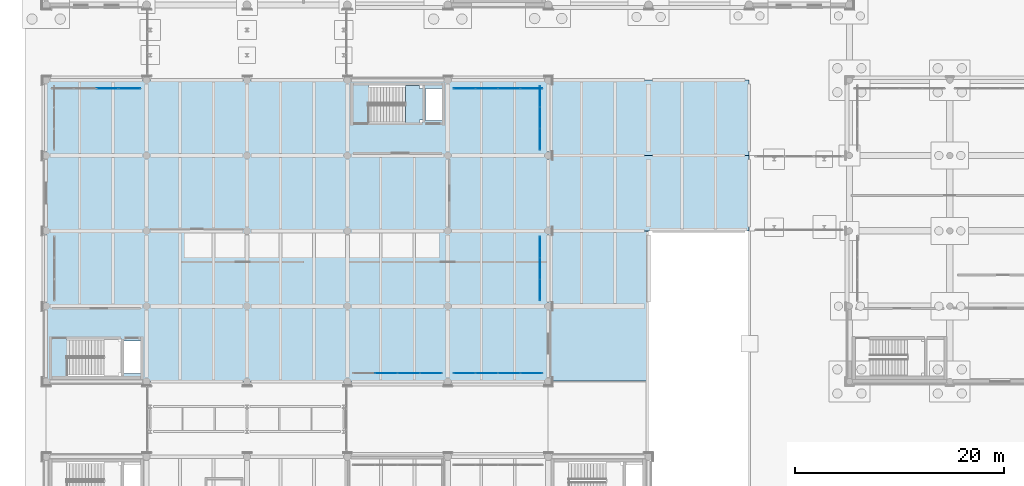
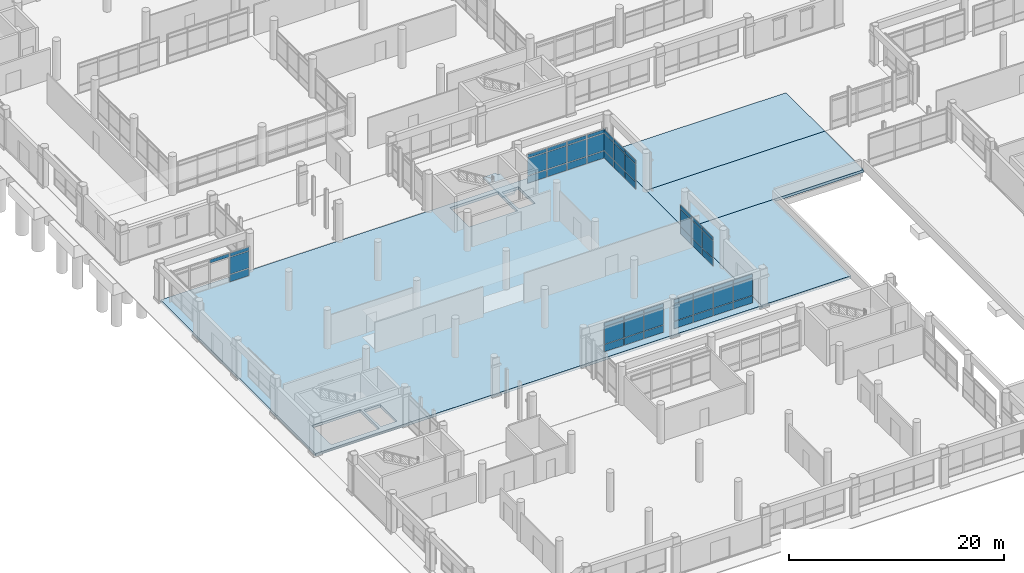
# One storey, part 144 of 196: 55 plates, 5 slabs, 7 elements without a shape of their own.
"""IFC4 building model written with IfcOpenShell, lengths in metres."""

from ifc_helpers import new_model, si_unit, direction, frame, origin, origin_2d, place, context, subcontext, project, spatial, polyline, rectangle, outline, extrude, material, layer, layer_set, type_object, element, aggregate, save


model = new_model("IFC4")

# Units and contexts
model_context = context("Model", 3, precision=1e-05, world=origin(), true_north=direction((0.0, 1.0)))
body_context = subcontext(model_context, "Body", "Model", "MODEL_VIEW")
ifc_project = project(units=[si_unit("LENGTHUNIT", "METRE"), si_unit("AREAUNIT", "SQUARE_METRE"), si_unit("VOLUMEUNIT", "CUBIC_METRE"), si_unit("PLANEANGLEUNIT", "RADIAN"), si_unit("MASSUNIT", "GRAM", prefix="KILO")], contexts=[model_context])

# Site, building, storey
site_placement = place(None, origin())
site = spatial("IfcSite", under=ifc_project, at=site_placement, CompositionType="ELEMENT")
building_placement = place(site_placement, origin())
building = spatial("IfcBuilding", under=site, at=building_placement, Name="Asteropetra Specialist Clinic", CompositionType="ELEMENT")
storey_placement = place(building_placement, origin())
storey = spatial("IfcBuildingStorey", under=building, at=storey_placement, Name="L00", CompositionType="ELEMENT", Elevation=0.0)

# Curtain wall, plates
ifc_material_1 = material(Name="Aluminium and low-E glass", Category="aluminium")
ifc_layer_1 = layer(ifc_material_1, 0.135009765625)
ifc_layer_set_1 = layer_set([ifc_layer_1], Name="Aluminium and low-E glass")
curtain_wall_type_1 = type_object("IfcCurtainWallType", Name="CW-SYS-09", PredefinedType="USERDEFINED", material=ifc_layer_set_1)
curtain_wall_1_placement = place(storey_placement, origin())
curtain_wall_1 = element("IfcCurtainWall", 1, at=curtain_wall_1_placement, inside=storey, type_object=curtain_wall_type_1, Name="Curtain Wall CW-148", ObjectType="STICK GLAZED COLONNADE", PredefinedType="USERDEFINED")
ifc_material_2 = material(Name="Low-E double glazing", Category="glass")
ifc_layer_2 = layer(ifc_material_2, 0.028076171875)
ifc_layer_set_2 = layer_set([ifc_layer_2], Name="Low-E double glazing")
plate_type_1 = type_object("IfcPlateType", Name="CWP-GLZ-28", PredefinedType="CURTAIN_PANEL", material=ifc_layer_set_2)
plate_1_placement = place(storey_placement, frame((32.527587890625, 34.3798828125, 0.06494140625), z_axis=(0.0, 0.0, 1.0), x_axis=(1.0, 0.0, 0.0)))
plate_1 = element("IfcPlate", 2, at=plate_1_placement, type_object=plate_type_1, Name="CW-148 panel 2.1", PredefinedType="CURTAIN_PANEL", context=body_context, shape_type="SweptSolid", body=[
    extrude(rectangle(XDim=2.080078125, YDim=0.028076171875, at=origin_2d()), origin(), (0.0, 0.0, 1.0), 0.802490234375),
])
plate_2_placement = place(storey_placement, frame((32.527587890625, 34.3798828125, 0.932373046875), z_axis=(0.0, 0.0, 1.0), x_axis=(1.0, 0.0, 0.0)))
plate_2 = element("IfcPlate", 3, at=plate_2_placement, type_object=plate_type_1, Name="CW-148 panel 2.2", PredefinedType="CURTAIN_PANEL", context=body_context, shape_type="SweptSolid", body=[
    extrude(rectangle(XDim=2.080078125, YDim=0.028076171875, at=origin_2d()), origin(), (0.0, 0.0, 1.0), 1.93505859375),
])
plate_3_placement = place(storey_placement, frame((32.527587890625, 34.3798828125, 2.9326171875), z_axis=(0.0, 0.0, 1.0), x_axis=(1.0, 0.0, 0.0)))
plate_3 = element("IfcPlate", 4, at=plate_3_placement, type_object=plate_type_1, Name="CW-148 panel 2.3", PredefinedType="CURTAIN_PANEL", context=body_context, shape_type="SweptSolid", body=[
    extrude(rectangle(XDim=2.080078125, YDim=0.028076171875, at=origin_2d()), origin(), (0.0, 0.0, 1.0), 0.402587890625),
])
plate_4_placement = place(storey_placement, frame((34.672607421875, 34.3798828125, 0.06494140625), z_axis=(0.0, 0.0, 1.0), x_axis=(1.0, 0.0, 0.0)))
plate_4 = element("IfcPlate", 5, at=plate_4_placement, type_object=plate_type_1, Name="CW-148 panel 3.1", PredefinedType="CURTAIN_PANEL", context=body_context, shape_type="SweptSolid", body=[
    extrude(rectangle(XDim=2.080078125, YDim=0.028076171875, at=origin_2d()), origin(), (0.0, 0.0, 1.0), 0.802490234375),
])
plate_5_placement = place(storey_placement, frame((34.672607421875, 34.3798828125, 0.932373046875), z_axis=(0.0, 0.0, 1.0), x_axis=(1.0, 0.0, 0.0)))
plate_5 = element("IfcPlate", 6, at=plate_5_placement, type_object=plate_type_1, Name="CW-148 panel 3.2", PredefinedType="CURTAIN_PANEL", context=body_context, shape_type="SweptSolid", body=[
    extrude(rectangle(XDim=2.080078125, YDim=0.028076171875, at=origin_2d()), origin(), (0.0, 0.0, 1.0), 1.93505859375),
])
plate_6_placement = place(storey_placement, frame((34.672607421875, 34.3798828125, 2.9326171875), z_axis=(0.0, 0.0, 1.0), x_axis=(1.0, 0.0, 0.0)))
plate_6 = element("IfcPlate", 7, at=plate_6_placement, type_object=plate_type_1, Name="CW-148 panel 3.3", PredefinedType="CURTAIN_PANEL", context=body_context, shape_type="SweptSolid", body=[
    extrude(rectangle(XDim=2.080078125, YDim=0.028076171875, at=origin_2d()), origin(), (0.0, 0.0, 1.0), 0.402587890625),
])
plate_7_placement = place(storey_placement, frame((36.80126953125, 34.3798828125, 0.06494140625), z_axis=(0.0, 0.0, 1.0), x_axis=(1.0, 0.0, 0.0)))
plate_7 = element("IfcPlate", 8, at=plate_7_placement, type_object=plate_type_1, Name="CW-148 panel 4.1", PredefinedType="CURTAIN_PANEL", context=body_context, shape_type="SweptSolid", body=[
    extrude(rectangle(XDim=2.047607421875, YDim=0.028076171875, at=origin_2d()), origin(), (0.0, 0.0, 1.0), 0.802490234375),
])
plate_8_placement = place(storey_placement, frame((36.80126953125, 34.3798828125, 0.932373046875), z_axis=(0.0, 0.0, 1.0), x_axis=(1.0, 0.0, 0.0)))
plate_8 = element("IfcPlate", 9, at=plate_8_placement, type_object=plate_type_1, Name="CW-148 panel 4.2", PredefinedType="CURTAIN_PANEL", context=body_context, shape_type="SweptSolid", body=[
    extrude(rectangle(XDim=2.047607421875, YDim=0.028076171875, at=origin_2d()), origin(), (0.0, 0.0, 1.0), 1.93505859375),
])
plate_9_placement = place(storey_placement, frame((36.80126953125, 34.3798828125, 2.9326171875), z_axis=(0.0, 0.0, 1.0), x_axis=(1.0, 0.0, 0.0)))
plate_9 = element("IfcPlate", 10, at=plate_9_placement, type_object=plate_type_1, Name="CW-148 panel 4.3", PredefinedType="CURTAIN_PANEL", context=body_context, shape_type="SweptSolid", body=[
    extrude(rectangle(XDim=2.047607421875, YDim=0.028076171875, at=origin_2d()), origin(), (0.0, 0.0, 1.0), 0.402587890625),
])
aggregate(curtain_wall_1, [plate_1, plate_2, plate_3, plate_4, plate_5, plate_6, plate_7, plate_8, plate_9])

ifc_material_3 = material(Name="Aluminium and low-E glass", Category="aluminium")
ifc_layer_3 = layer(ifc_material_3, 0.179931640625)
ifc_layer_set_3 = layer_set([ifc_layer_3], Name="Aluminium and low-E glass")
curtain_wall_type_2 = type_object("IfcCurtainWallType", Name="CW-SYS-10", PredefinedType="USERDEFINED", material=ifc_layer_set_3)
curtain_wall_2_placement = place(storey_placement, origin())
curtain_wall_2 = element("IfcCurtainWall", 11, at=curtain_wall_2_placement, inside=storey, type_object=curtain_wall_type_2, Name="Curtain Wall CW-152", ObjectType="STICK GLAZED COLONNADE", PredefinedType="USERDEFINED")
plate_10_placement = place(storey_placement, frame((47.219970703125, 42.35498046875, 0.06005859375), z_axis=(0.0, 0.0, 1.0), x_axis=(0.0, 1.0, 0.0)))
plate_10 = element("IfcPlate", 12, at=plate_10_placement, type_object=plate_type_1, Name="CW-152 panel 1.1", PredefinedType="CURTAIN_PANEL", context=body_context, shape_type="SweptSolid", body=[
    extrude(rectangle(XDim=1.969970703125, YDim=0.028076171875, at=origin_2d()), origin(), (0.0, 0.0, 1.0), 0.81005859375),
])
plate_11_placement = place(storey_placement, frame((47.219970703125, 42.35498046875, 0.929931640625), z_axis=(0.0, 0.0, 1.0), x_axis=(0.0, 1.0, 0.0)))
plate_11 = element("IfcPlate", 13, at=plate_11_placement, type_object=plate_type_1, Name="CW-152 panel 1.2", PredefinedType="CURTAIN_PANEL", context=body_context, shape_type="SweptSolid", body=[
    extrude(rectangle(XDim=1.969970703125, YDim=0.028076171875, at=origin_2d()), origin(), (0.0, 0.0, 1.0), 1.93994140625),
])
plate_12_placement = place(storey_placement, frame((47.219970703125, 42.35498046875, 2.93017578125), z_axis=(0.0, 0.0, 1.0), x_axis=(0.0, 1.0, 0.0)))
plate_12 = element("IfcPlate", 14, at=plate_12_placement, type_object=plate_type_1, Name="CW-152 panel 1.3", PredefinedType="CURTAIN_PANEL", context=body_context, shape_type="SweptSolid", body=[
    extrude(rectangle(XDim=1.969970703125, YDim=0.028076171875, at=origin_2d()), origin(), (0.0, 0.0, 1.0), 0.409912109375),
])
plate_13_placement = place(storey_placement, frame((47.219970703125, 44.39990234375, 0.06005859375), z_axis=(0.0, 0.0, 1.0), x_axis=(0.0, 1.0, 0.0)))
plate_13 = element("IfcPlate", 15, at=plate_13_placement, type_object=plate_type_1, Name="CW-152 panel 2.1", PredefinedType="CURTAIN_PANEL", context=body_context, shape_type="SweptSolid", body=[
    extrude(rectangle(XDim=2.0, YDim=0.028076171875, at=origin_2d()), origin(), (0.0, 0.0, 1.0), 0.81005859375),
])
plate_14_placement = place(storey_placement, frame((47.219970703125, 44.39990234375, 0.929931640625), z_axis=(0.0, 0.0, 1.0), x_axis=(0.0, 1.0, 0.0)))
plate_14 = element("IfcPlate", 16, at=plate_14_placement, type_object=plate_type_1, Name="CW-152 panel 2.2", PredefinedType="CURTAIN_PANEL", context=body_context, shape_type="SweptSolid", body=[
    extrude(rectangle(XDim=2.0, YDim=0.028076171875, at=origin_2d()), origin(), (0.0, 0.0, 1.0), 1.93994140625),
])
plate_15_placement = place(storey_placement, frame((47.219970703125, 44.39990234375, 2.93017578125), z_axis=(0.0, 0.0, 1.0), x_axis=(0.0, 1.0, 0.0)))
plate_15 = element("IfcPlate", 17, at=plate_15_placement, type_object=plate_type_1, Name="CW-152 panel 2.3", PredefinedType="CURTAIN_PANEL", context=body_context, shape_type="SweptSolid", body=[
    extrude(rectangle(XDim=2.0, YDim=0.028076171875, at=origin_2d()), origin(), (0.0, 0.0, 1.0), 0.409912109375),
])
plate_16_placement = place(storey_placement, frame((47.219970703125, 46.445068359375, 0.06005859375), z_axis=(0.0, 0.0, 1.0), x_axis=(0.0, 1.0, 0.0)))
plate_16 = element("IfcPlate", 18, at=plate_16_placement, type_object=plate_type_1, Name="CW-152 panel 3.1", PredefinedType="CURTAIN_PANEL", context=body_context, shape_type="SweptSolid", body=[
    extrude(rectangle(XDim=1.969970703125, YDim=0.028076171875, at=origin_2d()), origin(), (0.0, 0.0, 1.0), 0.81005859375),
])
plate_17_placement = place(storey_placement, frame((47.219970703125, 46.445068359375, 0.929931640625), z_axis=(0.0, 0.0, 1.0), x_axis=(0.0, 1.0, 0.0)))
plate_17 = element("IfcPlate", 19, at=plate_17_placement, type_object=plate_type_1, Name="CW-152 panel 3.2", PredefinedType="CURTAIN_PANEL", context=body_context, shape_type="SweptSolid", body=[
    extrude(rectangle(XDim=1.969970703125, YDim=0.028076171875, at=origin_2d()), origin(), (0.0, 0.0, 1.0), 1.93994140625),
])
plate_18_placement = place(storey_placement, frame((47.219970703125, 46.445068359375, 2.93017578125), z_axis=(0.0, 0.0, 1.0), x_axis=(0.0, 1.0, 0.0)))
plate_18 = element("IfcPlate", 20, at=plate_18_placement, type_object=plate_type_1, Name="CW-152 panel 3.3", PredefinedType="CURTAIN_PANEL", context=body_context, shape_type="SweptSolid", body=[
    extrude(rectangle(XDim=1.969970703125, YDim=0.028076171875, at=origin_2d()), origin(), (0.0, 0.0, 1.0), 0.409912109375),
])
aggregate(curtain_wall_2, [plate_10, plate_11, plate_12, plate_13, plate_14, plate_15, plate_16, plate_17, plate_18])

ifc_material_4 = material(Name="Aluminium and low-E glass", Category="aluminium")
ifc_layer_4 = layer(ifc_material_4, 0.14990234375)
ifc_layer_set_4 = layer_set([ifc_layer_4], Name="Aluminium and low-E glass")
curtain_wall_type_3 = type_object("IfcCurtainWallType", Name="CW-SYS-11", PredefinedType="USERDEFINED", material=ifc_layer_set_4)
curtain_wall_3_placement = place(storey_placement, origin())
curtain_wall_3 = element("IfcCurtainWall", 21, at=curtain_wall_3_placement, inside=storey, type_object=curtain_wall_type_3, Name="Curtain Wall CW-149", ObjectType="STICK GLAZED COLONNADE", PredefinedType="USERDEFINED")
ifc_material_5 = material(Name="Low-E acoustic double glazing", Category="glass")
ifc_layer_5 = layer(ifc_material_5, 0.031982421875)
ifc_layer_set_5 = layer_set([ifc_layer_5], Name="Low-E acoustic double glazing")
plate_type_2 = type_object("IfcPlateType", Name="CWP-GLZ-32", PredefinedType="CURTAIN_PANEL", material=ifc_layer_set_5)
plate_19_placement = place(storey_placement, frame((39.99755859375, 34.3798828125, 0.06005859375), z_axis=(0.0, 0.0, 1.0), x_axis=(1.0, 0.0, 0.0)))
plate_19 = element("IfcPlate", 22, at=plate_19_placement, type_object=plate_type_2, Name="CW-149 panel 1.1", PredefinedType="CURTAIN_PANEL", context=body_context, shape_type="SweptSolid", body=[
    extrude(rectangle(XDim=2.054931640625, YDim=0.031982421875, at=origin_2d()), origin(), (0.0, 0.0, 1.0), 0.81005859375),
])
plate_20_placement = place(storey_placement, frame((39.99755859375, 34.3798828125, 0.929931640625), z_axis=(0.0, 0.0, 1.0), x_axis=(1.0, 0.0, 0.0)))
plate_20 = element("IfcPlate", 23, at=plate_20_placement, type_object=plate_type_2, Name="CW-149 panel 1.2", PredefinedType="CURTAIN_PANEL", context=body_context, shape_type="SweptSolid", body=[
    extrude(rectangle(XDim=2.054931640625, YDim=0.031982421875, at=origin_2d()), origin(), (0.0, 0.0, 1.0), 1.93994140625),
])
plate_21_placement = place(storey_placement, frame((39.99755859375, 34.3798828125, 2.93017578125), z_axis=(0.0, 0.0, 1.0), x_axis=(1.0, 0.0, 0.0)))
plate_21 = element("IfcPlate", 24, at=plate_21_placement, type_object=plate_type_2, Name="CW-149 panel 1.3", PredefinedType="CURTAIN_PANEL", context=body_context, shape_type="SweptSolid", body=[
    extrude(rectangle(XDim=2.054931640625, YDim=0.031982421875, at=origin_2d()), origin(), (0.0, 0.0, 1.0), 0.409912109375),
])
plate_22_placement = place(storey_placement, frame((42.12744140625, 34.3798828125, 0.06005859375), z_axis=(0.0, 0.0, 1.0), x_axis=(1.0, 0.0, 0.0)))
plate_22 = element("IfcPlate", 25, at=plate_22_placement, type_object=plate_type_2, Name="CW-149 panel 2.1", PredefinedType="CURTAIN_PANEL", context=body_context, shape_type="SweptSolid", body=[
    extrude(rectangle(XDim=2.0849609375, YDim=0.031982421875, at=origin_2d()), origin(), (0.0, 0.0, 1.0), 0.81005859375),
])
plate_23_placement = place(storey_placement, frame((42.12744140625, 34.3798828125, 0.929931640625), z_axis=(0.0, 0.0, 1.0), x_axis=(1.0, 0.0, 0.0)))
plate_23 = element("IfcPlate", 26, at=plate_23_placement, type_object=plate_type_2, Name="CW-149 panel 2.2", PredefinedType="CURTAIN_PANEL", context=body_context, shape_type="SweptSolid", body=[
    extrude(rectangle(XDim=2.0849609375, YDim=0.031982421875, at=origin_2d()), origin(), (0.0, 0.0, 1.0), 1.93994140625),
])
plate_24_placement = place(storey_placement, frame((42.12744140625, 34.3798828125, 2.93017578125), z_axis=(0.0, 0.0, 1.0), x_axis=(1.0, 0.0, 0.0)))
plate_24 = element("IfcPlate", 27, at=plate_24_placement, type_object=plate_type_2, Name="CW-149 panel 2.3", PredefinedType="CURTAIN_PANEL", context=body_context, shape_type="SweptSolid", body=[
    extrude(rectangle(XDim=2.0849609375, YDim=0.031982421875, at=origin_2d()), origin(), (0.0, 0.0, 1.0), 0.409912109375),
])
plate_25_placement = place(storey_placement, frame((44.2724609375, 34.3798828125, 0.06005859375), z_axis=(0.0, 0.0, 1.0), x_axis=(1.0, 0.0, 0.0)))
plate_25 = element("IfcPlate", 28, at=plate_25_placement, type_object=plate_type_2, Name="CW-149 panel 3.1", PredefinedType="CURTAIN_PANEL", context=body_context, shape_type="SweptSolid", body=[
    extrude(rectangle(XDim=2.0849609375, YDim=0.031982421875, at=origin_2d()), origin(), (0.0, 0.0, 1.0), 0.81005859375),
])
plate_26_placement = place(storey_placement, frame((44.2724609375, 34.3798828125, 0.929931640625), z_axis=(0.0, 0.0, 1.0), x_axis=(1.0, 0.0, 0.0)))
plate_26 = element("IfcPlate", 29, at=plate_26_placement, type_object=plate_type_2, Name="CW-149 panel 3.2", PredefinedType="CURTAIN_PANEL", context=body_context, shape_type="SweptSolid", body=[
    extrude(rectangle(XDim=2.0849609375, YDim=0.031982421875, at=origin_2d()), origin(), (0.0, 0.0, 1.0), 1.93994140625),
])
plate_27_placement = place(storey_placement, frame((44.2724609375, 34.3798828125, 2.93017578125), z_axis=(0.0, 0.0, 1.0), x_axis=(1.0, 0.0, 0.0)))
plate_27 = element("IfcPlate", 30, at=plate_27_placement, type_object=plate_type_2, Name="CW-149 panel 3.3", PredefinedType="CURTAIN_PANEL", context=body_context, shape_type="SweptSolid", body=[
    extrude(rectangle(XDim=2.0849609375, YDim=0.031982421875, at=origin_2d()), origin(), (0.0, 0.0, 1.0), 0.409912109375),
])
plate_28_placement = place(storey_placement, frame((46.402587890625, 34.3798828125, 0.06005859375), z_axis=(0.0, 0.0, 1.0), x_axis=(1.0, 0.0, 0.0)))
plate_28 = element("IfcPlate", 31, at=plate_28_placement, type_object=plate_type_2, Name="CW-149 panel 4.1", PredefinedType="CURTAIN_PANEL", context=body_context, shape_type="SweptSolid", body=[
    extrude(rectangle(XDim=2.054931640625, YDim=0.031982421875, at=origin_2d()), origin(), (0.0, 0.0, 1.0), 0.81005859375),
])
plate_29_placement = place(storey_placement, frame((46.402587890625, 34.3798828125, 0.929931640625), z_axis=(0.0, 0.0, 1.0), x_axis=(1.0, 0.0, 0.0)))
plate_29 = element("IfcPlate", 32, at=plate_29_placement, type_object=plate_type_2, Name="CW-149 panel 4.2", PredefinedType="CURTAIN_PANEL", context=body_context, shape_type="SweptSolid", body=[
    extrude(rectangle(XDim=2.054931640625, YDim=0.031982421875, at=origin_2d()), origin(), (0.0, 0.0, 1.0), 1.93994140625),
])
plate_30_placement = place(storey_placement, frame((46.402587890625, 34.3798828125, 2.93017578125), z_axis=(0.0, 0.0, 1.0), x_axis=(1.0, 0.0, 0.0)))
plate_30 = element("IfcPlate", 33, at=plate_30_placement, type_object=plate_type_2, Name="CW-149 panel 4.3", PredefinedType="CURTAIN_PANEL", context=body_context, shape_type="SweptSolid", body=[
    extrude(rectangle(XDim=2.054931640625, YDim=0.031982421875, at=origin_2d()), origin(), (0.0, 0.0, 1.0), 0.409912109375),
])
aggregate(curtain_wall_3, [plate_19, plate_20, plate_21, plate_22, plate_23, plate_24, plate_25, plate_26, plate_27, plate_28, plate_29, plate_30])

curtain_wall_4_placement = place(storey_placement, origin())
curtain_wall_4 = element("IfcCurtainWall", 34, at=curtain_wall_4_placement, inside=storey, type_object=curtain_wall_type_3, Name="Curtain Wall CW-150", ObjectType="STICK GLAZED COLONNADE", PredefinedType="USERDEFINED")
ifc_material_6 = material(Name="Solar-control triple glazing", Category="glass")
ifc_layer_6 = layer(ifc_material_6, 0.035888671875)
ifc_layer_set_6 = layer_set([ifc_layer_6], Name="Solar-control triple glazing")
plate_type_3 = type_object("IfcPlateType", Name="CWP-GLZ-36", PredefinedType="CURTAIN_PANEL", material=ifc_layer_set_6)
plate_31_placement = place(storey_placement, frame((46.398681640625, 61.6201171875, 0.074951171875), z_axis=(0.0, 0.0, 1.0), x_axis=(-1.0, 0.0, 0.0)))
plate_31 = element("IfcPlate", 35, at=plate_31_placement, type_object=plate_type_3, Name="CW-150 panel 1.1", PredefinedType="CURTAIN_PANEL", context=body_context, shape_type="SweptSolid", body=[
    extrude(rectangle(XDim=2.032470703125, YDim=0.035888671875, at=origin_2d()), origin(), (0.0, 0.0, 1.0), 0.78759765625),
])
plate_32_placement = place(storey_placement, frame((46.398681640625, 61.6201171875, 0.9375), z_axis=(0.0, 0.0, 1.0), x_axis=(-1.0, 0.0, 0.0)))
plate_32 = element("IfcPlate", 36, at=plate_32_placement, type_object=plate_type_3, Name="CW-150 panel 1.2", PredefinedType="CURTAIN_PANEL", context=body_context, shape_type="SweptSolid", body=[
    extrude(rectangle(XDim=2.032470703125, YDim=0.035888671875, at=origin_2d()), origin(), (0.0, 0.0, 1.0), 1.925048828125),
])
plate_33_placement = place(storey_placement, frame((46.398681640625, 61.6201171875, 2.9375), z_axis=(0.0, 0.0, 1.0), x_axis=(-1.0, 0.0, 0.0)))
plate_33 = element("IfcPlate", 37, at=plate_33_placement, type_object=plate_type_3, Name="CW-150 panel 1.3", PredefinedType="CURTAIN_PANEL", context=body_context, shape_type="SweptSolid", body=[
    extrude(rectangle(XDim=2.032470703125, YDim=0.035888671875, at=origin_2d()), origin(), (0.0, 0.0, 1.0), 0.387451171875),
])
plate_34_placement = place(storey_placement, frame((44.2724609375, 61.6201171875, 0.074951171875), z_axis=(0.0, 0.0, 1.0), x_axis=(-1.0, 0.0, 0.0)))
plate_34 = element("IfcPlate", 38, at=plate_34_placement, type_object=plate_type_3, Name="CW-150 panel 2.1", PredefinedType="CURTAIN_PANEL", context=body_context, shape_type="SweptSolid", body=[
    extrude(rectangle(XDim=2.070068359375, YDim=0.035888671875, at=origin_2d()), origin(), (0.0, 0.0, 1.0), 0.78759765625),
])
plate_35_placement = place(storey_placement, frame((44.2724609375, 61.6201171875, 0.9375), z_axis=(0.0, 0.0, 1.0), x_axis=(-1.0, 0.0, 0.0)))
plate_35 = element("IfcPlate", 39, at=plate_35_placement, type_object=plate_type_3, Name="CW-150 panel 2.2", PredefinedType="CURTAIN_PANEL", context=body_context, shape_type="SweptSolid", body=[
    extrude(rectangle(XDim=2.070068359375, YDim=0.035888671875, at=origin_2d()), origin(), (0.0, 0.0, 1.0), 1.925048828125),
])
plate_36_placement = place(storey_placement, frame((44.2724609375, 61.6201171875, 2.9375), z_axis=(0.0, 0.0, 1.0), x_axis=(-1.0, 0.0, 0.0)))
plate_36 = element("IfcPlate", 40, at=plate_36_placement, type_object=plate_type_3, Name="CW-150 panel 2.3", PredefinedType="CURTAIN_PANEL", context=body_context, shape_type="SweptSolid", body=[
    extrude(rectangle(XDim=2.070068359375, YDim=0.035888671875, at=origin_2d()), origin(), (0.0, 0.0, 1.0), 0.387451171875),
])
plate_37_placement = place(storey_placement, frame((42.12744140625, 61.6201171875, 0.074951171875), z_axis=(0.0, 0.0, 1.0), x_axis=(-1.0, 0.0, 0.0)))
plate_37 = element("IfcPlate", 41, at=plate_37_placement, type_object=plate_type_3, Name="CW-150 panel 3.1", PredefinedType="CURTAIN_PANEL", context=body_context, shape_type="SweptSolid", body=[
    extrude(rectangle(XDim=2.070068359375, YDim=0.035888671875, at=origin_2d()), origin(), (0.0, 0.0, 1.0), 0.78759765625),
])
plate_38_placement = place(storey_placement, frame((42.12744140625, 61.6201171875, 0.9375), z_axis=(0.0, 0.0, 1.0), x_axis=(-1.0, 0.0, 0.0)))
plate_38 = element("IfcPlate", 42, at=plate_38_placement, type_object=plate_type_3, Name="CW-150 panel 3.2", PredefinedType="CURTAIN_PANEL", context=body_context, shape_type="SweptSolid", body=[
    extrude(rectangle(XDim=2.070068359375, YDim=0.035888671875, at=origin_2d()), origin(), (0.0, 0.0, 1.0), 1.925048828125),
])
plate_39_placement = place(storey_placement, frame((42.12744140625, 61.6201171875, 2.9375), z_axis=(0.0, 0.0, 1.0), x_axis=(-1.0, 0.0, 0.0)))
plate_39 = element("IfcPlate", 43, at=plate_39_placement, type_object=plate_type_3, Name="CW-150 panel 3.3", PredefinedType="CURTAIN_PANEL", context=body_context, shape_type="SweptSolid", body=[
    extrude(rectangle(XDim=2.070068359375, YDim=0.035888671875, at=origin_2d()), origin(), (0.0, 0.0, 1.0), 0.387451171875),
])
plate_40_placement = place(storey_placement, frame((40.001220703125, 61.6201171875, 0.074951171875), z_axis=(0.0, 0.0, 1.0), x_axis=(-1.0, 0.0, 0.0)))
plate_40 = element("IfcPlate", 44, at=plate_40_placement, type_object=plate_type_3, Name="CW-150 panel 4.1", PredefinedType="CURTAIN_PANEL", context=body_context, shape_type="SweptSolid", body=[
    extrude(rectangle(XDim=2.032470703125, YDim=0.035888671875, at=origin_2d()), origin(), (0.0, 0.0, 1.0), 0.78759765625),
])
plate_41_placement = place(storey_placement, frame((40.001220703125, 61.6201171875, 0.9375), z_axis=(0.0, 0.0, 1.0), x_axis=(-1.0, 0.0, 0.0)))
plate_41 = element("IfcPlate", 45, at=plate_41_placement, type_object=plate_type_3, Name="CW-150 panel 4.2", PredefinedType="CURTAIN_PANEL", context=body_context, shape_type="SweptSolid", body=[
    extrude(rectangle(XDim=2.032470703125, YDim=0.035888671875, at=origin_2d()), origin(), (0.0, 0.0, 1.0), 1.925048828125),
])
plate_42_placement = place(storey_placement, frame((40.001220703125, 61.6201171875, 2.9375), z_axis=(0.0, 0.0, 1.0), x_axis=(-1.0, 0.0, 0.0)))
plate_42 = element("IfcPlate", 46, at=plate_42_placement, type_object=plate_type_3, Name="CW-150 panel 4.3", PredefinedType="CURTAIN_PANEL", context=body_context, shape_type="SweptSolid", body=[
    extrude(rectangle(XDim=2.032470703125, YDim=0.035888671875, at=origin_2d()), origin(), (0.0, 0.0, 1.0), 0.387451171875),
])
aggregate(curtain_wall_4, [plate_31, plate_32, plate_33, plate_34, plate_35, plate_36, plate_37, plate_38, plate_39, plate_40, plate_41, plate_42])

ifc_material_7 = material(Name="Aluminium and low-E glass", Category="aluminium")
ifc_layer_7 = layer(ifc_material_7, 0.179931640625)
ifc_layer_set_7 = layer_set([ifc_layer_7], Name="Aluminium and low-E glass")
curtain_wall_type_4 = type_object("IfcCurtainWallType", Name="CW-SYS-01", PredefinedType="USERDEFINED", material=ifc_layer_set_7)
curtain_wall_5_placement = place(storey_placement, origin())
curtain_wall_5 = element("IfcCurtainWall", 47, at=curtain_wall_5_placement, inside=storey, type_object=curtain_wall_type_4, Name="Curtain Wall CW-154", ObjectType="UNITISED CURTAIN WALL", PredefinedType="USERDEFINED")
plate_43_placement = place(storey_placement, frame((47.219970703125, 56.75634765625, 0.06494140625), z_axis=(0.0, 0.0, 1.0), x_axis=(0.0, 1.0, 0.0)))
plate_43 = element("IfcPlate", 48, at=plate_43_placement, type_object=plate_type_3, Name="CW-154 panel 1.1", PredefinedType="CURTAIN_PANEL", context=body_context, shape_type="SweptSolid", body=[
    extrude(rectangle(XDim=1.96240234375, YDim=0.035888671875, at=origin_2d()), origin(), (0.0, 0.0, 1.0), 0.802490234375),
])
plate_44_placement = place(storey_placement, frame((47.219970703125, 56.75634765625, 0.932373046875), z_axis=(0.0, 0.0, 1.0), x_axis=(0.0, 1.0, 0.0)))
plate_44 = element("IfcPlate", 49, at=plate_44_placement, type_object=plate_type_3, Name="CW-154 panel 1.2", PredefinedType="CURTAIN_PANEL", context=body_context, shape_type="SweptSolid", body=[
    extrude(rectangle(XDim=1.96240234375, YDim=0.035888671875, at=origin_2d()), origin(), (0.0, 0.0, 1.0), 1.93505859375),
])
plate_45_placement = place(storey_placement, frame((47.219970703125, 56.75634765625, 2.9326171875), z_axis=(0.0, 0.0, 1.0), x_axis=(0.0, 1.0, 0.0)))
plate_45 = element("IfcPlate", 50, at=plate_45_placement, type_object=plate_type_3, Name="CW-154 panel 1.3", PredefinedType="CURTAIN_PANEL", context=body_context, shape_type="SweptSolid", body=[
    extrude(rectangle(XDim=1.96240234375, YDim=0.035888671875, at=origin_2d()), origin(), (0.0, 0.0, 1.0), 0.402587890625),
])
plate_46_placement = place(storey_placement, frame((47.219970703125, 58.800048828125, 0.06494140625), z_axis=(0.0, 0.0, 1.0), x_axis=(0.0, 1.0, 0.0)))
plate_46 = element("IfcPlate", 51, at=plate_46_placement, type_object=plate_type_3, Name="CW-154 panel 2.1", PredefinedType="CURTAIN_PANEL", context=body_context, shape_type="SweptSolid", body=[
    extrude(rectangle(XDim=1.9951171875, YDim=0.035888671875, at=origin_2d()), origin(), (0.0, 0.0, 1.0), 0.802490234375),
])
plate_47_placement = place(storey_placement, frame((47.219970703125, 58.800048828125, 0.932373046875), z_axis=(0.0, 0.0, 1.0), x_axis=(0.0, 1.0, 0.0)))
plate_47 = element("IfcPlate", 52, at=plate_47_placement, type_object=plate_type_3, Name="CW-154 panel 2.2", PredefinedType="CURTAIN_PANEL", context=body_context, shape_type="SweptSolid", body=[
    extrude(rectangle(XDim=1.9951171875, YDim=0.035888671875, at=origin_2d()), origin(), (0.0, 0.0, 1.0), 1.93505859375),
])
plate_48_placement = place(storey_placement, frame((47.219970703125, 58.800048828125, 2.9326171875), z_axis=(0.0, 0.0, 1.0), x_axis=(0.0, 1.0, 0.0)))
plate_48 = element("IfcPlate", 53, at=plate_48_placement, type_object=plate_type_3, Name="CW-154 panel 2.3", PredefinedType="CURTAIN_PANEL", context=body_context, shape_type="SweptSolid", body=[
    extrude(rectangle(XDim=1.9951171875, YDim=0.035888671875, at=origin_2d()), origin(), (0.0, 0.0, 1.0), 0.402587890625),
])
plate_49_placement = place(storey_placement, frame((47.219970703125, 60.84375, 0.06494140625), z_axis=(0.0, 0.0, 1.0), x_axis=(0.0, 1.0, 0.0)))
plate_49 = element("IfcPlate", 54, at=plate_49_placement, type_object=plate_type_3, Name="CW-154 panel 3.1", PredefinedType="CURTAIN_PANEL", context=body_context, shape_type="SweptSolid", body=[
    extrude(rectangle(XDim=1.96240234375, YDim=0.035888671875, at=origin_2d()), origin(), (0.0, 0.0, 1.0), 0.802490234375),
])
plate_50_placement = place(storey_placement, frame((47.219970703125, 60.84375, 0.932373046875), z_axis=(0.0, 0.0, 1.0), x_axis=(0.0, 1.0, 0.0)))
plate_50 = element("IfcPlate", 55, at=plate_50_placement, type_object=plate_type_3, Name="CW-154 panel 3.2", PredefinedType="CURTAIN_PANEL", context=body_context, shape_type="SweptSolid", body=[
    extrude(rectangle(XDim=1.96240234375, YDim=0.035888671875, at=origin_2d()), origin(), (0.0, 0.0, 1.0), 1.93505859375),
])
plate_51_placement = place(storey_placement, frame((47.219970703125, 60.84375, 2.9326171875), z_axis=(0.0, 0.0, 1.0), x_axis=(0.0, 1.0, 0.0)))
plate_51 = element("IfcPlate", 56, at=plate_51_placement, type_object=plate_type_3, Name="CW-154 panel 3.3", PredefinedType="CURTAIN_PANEL", context=body_context, shape_type="SweptSolid", body=[
    extrude(rectangle(XDim=1.96240234375, YDim=0.035888671875, at=origin_2d()), origin(), (0.0, 0.0, 1.0), 0.402587890625),
])
aggregate(curtain_wall_5, [plate_43, plate_44, plate_45, plate_46, plate_47, plate_48, plate_49, plate_50, plate_51])

curtain_wall_6_placement = place(storey_placement, origin())
curtain_wall_6 = element("IfcCurtainWall", 57, at=curtain_wall_6_placement, inside=storey, type_object=curtain_wall_type_1, Name="Curtain Wall CW-147", ObjectType="STICK GLAZED COLONNADE", PredefinedType="USERDEFINED")
ifc_material_8 = material(Name="Laminated skylight glazing", Category="glass")
ifc_layer_8 = layer(ifc_material_8, 0.0400390625)
ifc_layer_set_8 = layer_set([ifc_layer_8], Name="Laminated skylight glazing")
plate_type_4 = type_object("IfcPlateType", Name="CWP-GLZ-40", PredefinedType="CURTAIN_PANEL", material=ifc_layer_set_8)
plate_52_placement = place(storey_placement, frame((7.998779296875, 61.6201171875, 0.074951171875), z_axis=(0.0, 0.0, 1.0), x_axis=(-1.0, 0.0, 0.0)))
plate_52 = element("IfcPlate", 58, at=plate_52_placement, type_object=plate_type_4, Name="CW-147 panel 1.1", PredefinedType="CURTAIN_PANEL", context=body_context, shape_type="SweptSolid", body=[
    extrude(rectangle(XDim=2.032470703125, YDim=0.0400390625, at=origin_2d()), origin(), (0.0, 0.0, 1.0), 0.78759765625),
])
plate_53_placement = place(storey_placement, frame((7.998779296875, 61.6201171875, 0.9375), z_axis=(0.0, 0.0, 1.0), x_axis=(-1.0, 0.0, 0.0)))
plate_53 = element("IfcPlate", 59, at=plate_53_placement, type_object=plate_type_4, Name="CW-147 panel 1.2", PredefinedType="CURTAIN_PANEL", context=body_context, shape_type="SweptSolid", body=[
    extrude(rectangle(XDim=2.032470703125, YDim=0.0400390625, at=origin_2d()), origin(), (0.0, 0.0, 1.0), 1.925048828125),
])
plate_54_placement = place(storey_placement, frame((7.998779296875, 61.6201171875, 2.9375), z_axis=(0.0, 0.0, 1.0), x_axis=(-1.0, 0.0, 0.0)))
plate_54 = element("IfcPlate", 60, at=plate_54_placement, type_object=plate_type_4, Name="CW-147 panel 1.3", PredefinedType="CURTAIN_PANEL", context=body_context, shape_type="SweptSolid", body=[
    extrude(rectangle(XDim=2.032470703125, YDim=0.0400390625, at=origin_2d()), origin(), (0.0, 0.0, 1.0), 0.387451171875),
])
plate_55_placement = place(storey_placement, frame((5.87255859375, 61.6201171875, 2.9375), z_axis=(0.0, 0.0, 1.0), x_axis=(-1.0, 0.0, 0.0)))
plate_55 = element("IfcPlate", 61, at=plate_55_placement, type_object=plate_type_4, Name="CW-147 panel 2.3", PredefinedType="CURTAIN_PANEL", context=body_context, shape_type="SweptSolid", body=[
    extrude(rectangle(XDim=2.070068359375, YDim=0.0400390625, at=origin_2d()), origin(), (0.0, 0.0, 1.0), 0.387451171875),
])
aggregate(curtain_wall_6, [plate_52, plate_53, plate_54, plate_55])

# Slab
ifc_material_9 = material(Name="Concrete C35/45", Category="concrete")
ifc_layer_9 = layer(ifc_material_9, 0.300048828125)
ifc_layer_set_9 = layer_set([ifc_layer_9], Name="Concrete C35/45")
slab_type_1 = type_object("IfcSlabType", Name="SLB-FLR-300", PredefinedType="FLOOR", material=ifc_layer_set_9)
slab_1_placement = place(storey_placement, frame((0.0, 0.0, -0.300048828125)))
element("IfcSlab", 62, at=slab_1_placement, inside=storey, type_object=slab_type_1, Name="Slab V5 L00", PredefinedType="FLOOR", context=body_context, shape_type="SweptSolid", body=[
    extrude(outline(polyline([(0.0, 33.60009765625), (48.0, 33.60009765625), (48.0, 62.39990234375), (0.0, 62.39990234375), (0.0, 33.60009765625)]), holes=[polyline([(2.0, 34.1201171875), (7.179931640625, 34.1201171875), (7.179931640625, 37.699951171875), (2.0, 37.699951171875), (2.0, 34.1201171875)]), polyline([(7.449951171875, 34.3701171875), (9.199951171875, 34.3701171875), (9.199951171875, 37.449951171875), (7.449951171875, 37.449951171875), (7.449951171875, 34.3701171875)]), polyline([(30.800048828125, 58.300048828125), (35.97998046875, 58.300048828125), (35.97998046875, 61.8798828125), (30.800048828125, 61.8798828125), (30.800048828125, 58.300048828125)]), polyline([(36.25, 58.550048828125), (38.0, 58.550048828125), (38.0, 61.6298828125), (36.25, 61.6298828125), (36.25, 58.550048828125)])]), origin(), (0.0, 0.0, 1.0), 0.300048828125),
])

# Stair, slab
ifc_material_10 = material(Name="Concrete C35/45", Category="concrete")
stair_type = type_object("IfcStairType", Name="STR-DOG-160", PredefinedType="TWO_STRAIGHT_RUN_STAIR", material=ifc_material_10)
stair_placement = place(storey_placement, origin())
stair = element("IfcStair", 63, at=stair_placement, inside=storey, type_object=stair_type, Name="Type I Stair ST05-L00", PredefinedType="TWO_STRAIGHT_RUN_STAIR")
ifc_material_11 = material(Name="Concrete C35/45", Category="concrete")
ifc_layer_10 = layer(ifc_material_11, 0.199951171875)
ifc_layer_set_10 = layer_set([ifc_layer_10], Name="Concrete C35/45")
slab_type_2 = type_object("IfcSlabType", Name="SLB-LND-200", PredefinedType="LANDING", material=ifc_layer_set_10)
slab_2_placement = place(storey_placement, frame((0.0, 0.0, 2.010009765625)))
slab_2 = element("IfcSlab", 64, at=slab_2_placement, type_object=slab_type_2, Name="ST05-L00 landing 1", PredefinedType="LANDING", context=body_context, shape_type="SweptSolid", body=[
    extrude(outline(polyline([(34.35009765625, 58.27001953125), (35.699951171875, 58.27001953125), (35.699951171875, 58.590087890625), (36.02001953125, 58.590087890625), (36.02001953125, 61.590087890625), (35.699951171875, 61.590087890625), (35.699951171875, 61.909912109375), (34.35009765625, 61.909912109375), (34.35009765625, 58.27001953125)])), origin(), (0.0, 0.0, 1.0), 0.199951171875),
])
aggregate(stair, [slab_2])

# Slabs
ifc_material_12 = material(Name="Concrete C35/45", Category="concrete")
ifc_layer_11 = layer(ifc_material_12, 0.31005859375)
ifc_layer_set_11 = layer_set([ifc_layer_11], Name="Concrete C35/45")
slab_type_3 = type_object("IfcSlabType", Name="SLB-TER-310", PredefinedType="ROOF", material=ifc_layer_set_11)
slab_3_placement = place(storey_placement, frame((0.0, 0.0, -0.31005859375)))
element("IfcSlab", 65, at=slab_3_placement, inside=storey, type_object=slab_type_3, Name="Slab B1DECK-MID2 L00", PredefinedType="ROOF", context=body_context, shape_type="SweptSolid", body=[
    extrude(outline(polyline([(48.0, 33.64990234375), (57.60009765625, 33.64990234375), (57.60009765625, 48.0), (48.0, 48.0), (48.0, 33.64990234375)])), origin(), (0.0, 0.0, 1.0), 0.31005859375),
])
slab_4_placement = place(storey_placement, frame((0.0, 0.0, -0.31005859375)))
element("IfcSlab", 66, at=slab_4_placement, inside=storey, type_object=slab_type_3, Name="Slab B1DECK-LP4B1 L00", PredefinedType="ROOF", context=body_context, shape_type="SweptSolid", body=[
    extrude(outline(polyline([(48.0, 48.0), (67.199951171875, 48.0), (67.199951171875, 55.199951171875), (48.0, 55.199951171875), (48.0, 48.0)])), origin(), (0.0, 0.0, 1.0), 0.31005859375),
])
slab_5_placement = place(storey_placement, frame((0.0, 0.0, -0.31005859375)))
element("IfcSlab", 67, at=slab_5_placement, inside=storey, type_object=slab_type_3, Name="Slab B1DECK-NW L00", PredefinedType="ROOF", context=body_context, shape_type="SweptSolid", body=[
    extrude(outline(polyline([(48.0, 55.199951171875), (67.199951171875, 55.199951171875), (67.199951171875, 62.39990234375), (48.0, 62.39990234375), (48.0, 55.199951171875)])), origin(), (0.0, 0.0, 1.0), 0.31005859375),
])

save(model, "model.ifc")
